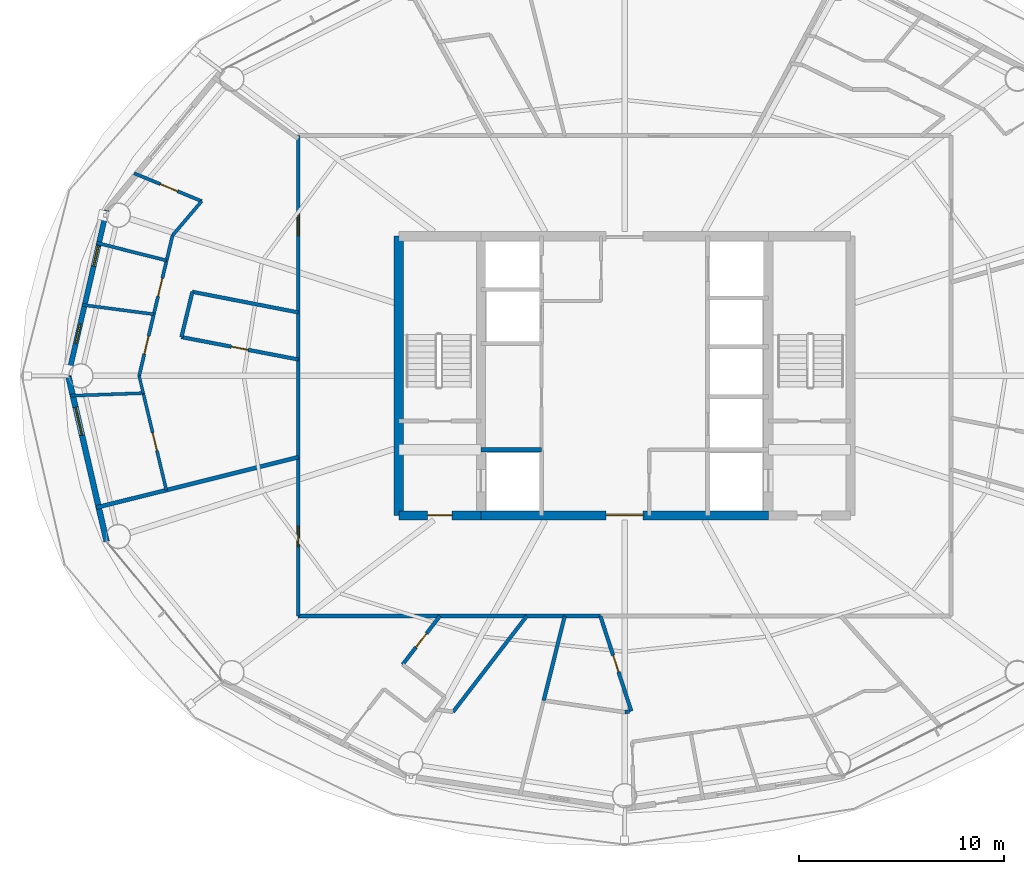
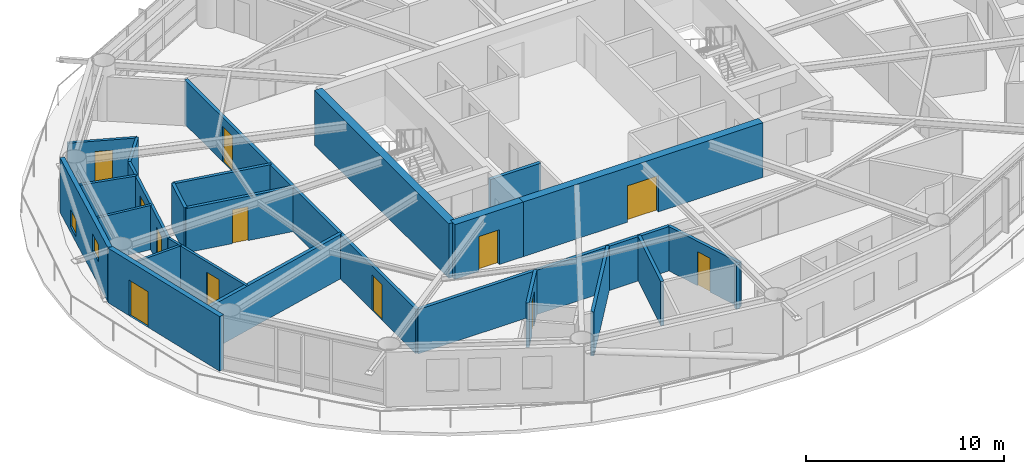
# One storey, part 20 of 27: 26 walls, 12 doors, 2 windows, 14 openings.
"""IFC4 building model written with IfcOpenShell, lengths in metres."""

from ifc_helpers import new_model, si_unit, direction, frame, frame_2d, origin, place, context, subcontext, project, spatial, rectangle, extrude, material, layer, layer_set, type_object, element, fill, save


model = new_model("IFC4")

# Units and contexts
model_context = context("Model", 3, precision=1e-05, world=origin(), true_north=direction((0.0, 1.0)))
body_context = subcontext(model_context, "Body", "Model", "MODEL_VIEW")
ifc_project = project(units=[si_unit("LENGTHUNIT", "METRE"), si_unit("AREAUNIT", "SQUARE_METRE"), si_unit("VOLUMEUNIT", "CUBIC_METRE"), si_unit("PLANEANGLEUNIT", "RADIAN"), si_unit("MASSUNIT", "GRAM", prefix="KILO")], contexts=[model_context])

# Site, building, storey
site_placement = place(None, origin())
site = spatial("IfcSite", under=ifc_project, at=site_placement, CompositionType="ELEMENT")
building_placement = place(site_placement, origin())
building = spatial("IfcBuilding", under=site, at=building_placement, Name="Sarneth Arch Tower", CompositionType="ELEMENT")
storey_placement = place(building_placement, frame((0.0, 0.0, 186.60009765625)))
storey = spatial("IfcBuildingStorey", under=building, at=storey_placement, Name="L47", CompositionType="ELEMENT", Elevation=186.60009765625)

# Wall, opening, door
ifc_material_1 = material(Name="Concrete C50/60", Category="concrete")
ifc_layer_1 = layer(ifc_material_1, 0.449951171875)
ifc_layer_set_1 = layer_set([ifc_layer_1], Name="Concrete C50/60")
wall_type_1 = type_object("IfcWallType", Name="WALL-CORE-450", PredefinedType="SHEAR", material=ifc_layer_set_1)
wall_1_placement = place(storey_placement, frame((37.0, 35.199951171875, 0.0), z_axis=(0.0, 0.0, 1.0), x_axis=(1.0, 0.0, 0.0)))
wall_1 = element("IfcWall", 1, at=wall_1_placement, inside=storey, type_object=wall_type_1, Name="L47 Core shear wall S-W", PredefinedType="SHEAR", context=body_context, shape_type="SweptSolid", body=[
    extrude(rectangle(XDim=4.0, YDim=0.449951171875, at=frame_2d((2.0, 0.0))), origin(), (0.0, 0.0, 1.0), 3.3798828125),
])
opening_1_placement = place(wall_1_placement, frame((1.39990234375, 0.0, 0.0)))
opening_1 = element("IfcOpeningElement", 2, at=opening_1_placement, cuts=wall_1, Name="Opening FD-02", PredefinedType="OPENING", context=body_context, shape_type="SweptSolid", body=[
    extrude(rectangle(XDim=1.199951171875, YDim=2.14990234375, at=frame_2d((0.60009765625, 1.074951171875))), frame((0.0, 0.23486328125, 0.0), z_axis=(0.0, -1.0, 0.0), x_axis=(1.0, 0.0, 0.0)), (0.0, 0.0, 1.0), 0.469970703125),
])
ifc_material_2 = material(Name="Galvanised Steel S275 fire door set", Category="steel")
door_type_1 = type_object("IfcDoorType", Name="DR-FD90-1200", OperationType="SINGLE_SWING_LEFT", PredefinedType="DOOR", material=ifc_material_2)
door_1_placement = place(opening_1_placement, origin())
door_1 = element("IfcDoor", 3, at=door_1_placement, inside=storey, type_object=door_type_1, Name="L47 Firefighting lobby 1 exit door", OperationType="SINGLE_SWING_LEFT", OverallHeight=2.14990234375, OverallWidth=1.199951171875, PredefinedType="DOOR", context=body_context, shape_type="SweptSolid", body=[
    extrude(rectangle(XDim=1.199951171875, YDim=2.14990234375, at=frame_2d((0.60009765625, 1.074951171875))), frame((0.0, 0.02490234375, 0.0), z_axis=(0.0, -1.0, 0.0), x_axis=(1.0, 0.0, 0.0)), (0.0, 0.0, 1.0), 0.050048828125),
])
fill(opening_1, door_1)

wall_2_placement = place(storey_placement, frame((41.0, 35.199951171875, 0.0), z_axis=(0.0, 0.0, 1.0), x_axis=(1.0, 0.0, 0.0)))
wall_2 = element("IfcWall", 4, at=wall_2_placement, inside=storey, type_object=wall_type_1, Name="L47 Core shear wall S-M", PredefinedType="SHEAR", context=body_context, shape_type="SweptSolid", body=[
    extrude(rectangle(XDim=14.0, YDim=0.449951171875, at=frame_2d((7.0, 0.0))), origin(), (0.0, 0.0, 1.0), 3.3798828125),
])
opening_2_placement = place(wall_2_placement, frame((6.10009765625, 0.0, 0.0)))
opening_2 = element("IfcOpeningElement", 5, at=opening_2_placement, cuts=wall_2, Name="Opening FD-01", PredefinedType="OPENING", context=body_context, shape_type="SweptSolid", body=[
    extrude(rectangle(XDim=1.800048828125, YDim=2.25, at=frame_2d((0.89990234375, 1.125))), frame((0.0, 0.23486328125, 0.0), z_axis=(0.0, -1.0, 0.0), x_axis=(1.0, 0.0, 0.0)), (0.0, 0.0, 1.0), 0.469970703125),
])
ifc_material_3 = material(Name="Galvanised Steel S275 fire door set", Category="steel")
door_type_2 = type_object("IfcDoorType", Name="DR-FD90-1800", OperationType="DOUBLE_DOOR_SINGLE_SWING", PredefinedType="DOOR", material=ifc_material_3)
door_2_placement = place(opening_2_placement, origin())
door_2 = element("IfcDoor", 6, at=door_2_placement, inside=storey, type_object=door_type_2, Name="L47 Central lift lobby south door", OperationType="DOUBLE_DOOR_SINGLE_SWING", OverallHeight=2.25, OverallWidth=1.800048828125, PredefinedType="DOOR", context=body_context, shape_type="SweptSolid", body=[
    extrude(rectangle(XDim=1.800048828125, YDim=2.25, at=frame_2d((0.89990234375, 1.125))), frame((0.0, 0.02490234375, 0.0), z_axis=(0.0, -1.0, 0.0), x_axis=(1.0, 0.0, 0.0)), (0.0, 0.0, 1.0), 0.050048828125),
])
fill(opening_2, door_2)

# Wall
wall_3_placement = place(storey_placement, frame((37.0, 35.199951171875, 0.0), z_axis=(0.0, 0.0, 1.0), x_axis=(0.0, 1.0, 0.0)))
element("IfcWall", 7, at=wall_3_placement, inside=storey, type_object=wall_type_1, Name="L47 Core shear wall W", PredefinedType="SHEAR", context=body_context, shape_type="SweptSolid", body=[
    extrude(rectangle(XDim=13.60009765625, YDim=0.449951171875, at=frame_2d((6.800048828125, 0.0))), origin(), (0.0, 0.0, 1.0), 3.3798828125),
])

# Wall, opening, door
ifc_material_4 = material(Name="Double steel-stud corridor fire wall", Category="steel")
ifc_layer_2 = layer(ifc_material_4, 0.18994140625)
ifc_layer_set_2 = layer_set([ifc_layer_2], Name="Double steel-stud corridor fire wall")
wall_type_2 = type_object("IfcWallType", Name="WALL-CORR-190", PredefinedType="PARTITIONING", material=ifc_layer_set_2)
wall_4_placement = place(storey_placement, frame((32.10009765625, 42.76513671875, 0.0), z_axis=(0.0, 0.0, 1.0), x_axis=(0.0, 1.0, 0.0)))
wall_4 = element("IfcWall", 8, at=wall_4_placement, inside=storey, type_object=wall_type_2, Name="L47 Interior partition W-L47-TP-010", PredefinedType="PARTITIONING", context=body_context, shape_type="SweptSolid", body=[
    extrude(rectangle(XDim=10.934814453125, YDim=0.18994140625, at=frame_2d((5.46728515625, 0.0))), origin(), (0.0, 0.0, 1.0), 2.739990234375),
])
opening_3_placement = place(wall_4_placement, frame((6.0595703125, 0.0, 0.0)))
opening_3 = element("IfcOpeningElement", 9, at=opening_3_placement, cuts=wall_4, Name="Opening FD-08", PredefinedType="OPENING", context=body_context, shape_type="SweptSolid", body=[
    extrude(rectangle(XDim=1.0, YDim=2.199951171875, at=frame_2d((0.5, 1.10009765625))), frame((0.0, 0.10498046875, 0.0), z_axis=(0.0, -1.0, 0.0), x_axis=(1.0, 0.0, 0.0)), (0.0, 0.0, 1.0), 0.2099609375),
])
ifc_material_5 = material(Name="Hardwood timber acoustic fire door", Category="wood")
door_type_3 = type_object("IfcDoorType", Name="DR-FD60-1000", OperationType="SINGLE_SWING_LEFT", PredefinedType="DOOR", material=ifc_material_5)
door_3_placement = place(opening_3_placement, origin())
door_3 = element("IfcDoor", 10, at=door_3_placement, inside=storey, type_object=door_type_3, Name="L47 Interior door DR-L47-U4-ENT", OperationType="SINGLE_SWING_LEFT", OverallHeight=2.199951171875, OverallWidth=1.0, PredefinedType="DOOR", context=body_context, shape_type="SweptSolid", body=[
    extrude(rectangle(XDim=1.0, YDim=2.199951171875, at=frame_2d((0.5, 1.10009765625))), frame((0.0, 0.02490234375, 0.0), z_axis=(0.0, -1.0, 0.0), x_axis=(1.0, 0.0, 0.0)), (0.0, 0.0, 1.0), 0.050048828125),
])
fill(opening_3, door_3)

wall_5_placement = place(storey_placement, frame((32.10009765625, 30.300048828125, 0.0), z_axis=(0.0, 0.0, 1.0), x_axis=(0.0, 1.0, 0.0)))
wall_5 = element("IfcWall", 11, at=wall_5_placement, inside=storey, type_object=wall_type_2, Name="L47 Interior partition W-L47-TP-013", PredefinedType="PARTITIONING", context=body_context, shape_type="SweptSolid", body=[
    extrude(rectangle(XDim=12.5302734375, YDim=0.18994140625, at=frame_2d((6.26513671875, 0.0))), origin(), (0.0, 0.0, 1.0), 2.739990234375),
])
opening_4_placement = place(wall_5_placement, frame((3.38427734375, 0.0, 0.0)))
opening_4 = element("IfcOpeningElement", 12, at=opening_4_placement, cuts=wall_5, Name="Opening FD-08", PredefinedType="OPENING", context=body_context, shape_type="SweptSolid", body=[
    extrude(rectangle(XDim=1.0, YDim=2.199951171875, at=frame_2d((0.5, 1.10009765625))), frame((0.0, 0.10498046875, 0.0), z_axis=(0.0, -1.0, 0.0), x_axis=(1.0, 0.0, 0.0)), (0.0, 0.0, 1.0), 0.2099609375),
])
door_4_placement = place(opening_4_placement, origin())
door_4 = element("IfcDoor", 13, at=door_4_placement, inside=storey, type_object=door_type_3, Name="L47 Interior door DR-L47-U5-ENT", OperationType="SINGLE_SWING_RIGHT", OverallHeight=2.199951171875, OverallWidth=1.0, PredefinedType="DOOR", context=body_context, shape_type="SweptSolid", body=[
    extrude(rectangle(XDim=1.0, YDim=2.199951171875, at=frame_2d((0.5, 1.10009765625))), frame((0.0, 0.02490234375, 0.0), z_axis=(0.0, -1.0, 0.0), x_axis=(1.0, 0.0, 0.0)), (0.0, 0.0, 1.0), 0.050048828125),
])
fill(opening_4, door_4)

# Wall
wall_6_placement = place(storey_placement, frame((46.817626953125, 30.300048828125, 0.0), z_axis=(0.0, 0.0, 1.0), x_axis=(-1.0, 0.0, 0.0)))
element("IfcWall", 14, at=wall_6_placement, inside=storey, type_object=wall_type_2, Name="L47 Interior partition W-L47-TP-012", PredefinedType="PARTITIONING", context=body_context, shape_type="SweptSolid", body=[
    extrude(rectangle(XDim=14.717529296875, YDim=0.18994140625, at=frame_2d((7.35888671875, 0.0))), origin(), (0.0, 0.0, 1.0), 2.739990234375),
])

# Wall, openings, windows
ifc_material_6 = material(Name="Extruded terracotta rainscreen on Concrete C40/50 backing", Category="masonry")
ifc_layer_3 = layer(ifc_material_6, 0.25)
ifc_layer_set_3 = layer_set([ifc_layer_3], Name="Extruded terracotta rainscreen on Concrete C40/50 backing")
wall_type_3 = type_object("IfcWallType", Name="WALL-EXT-SPAND-250", PredefinedType="SOLIDWALL", material=ifc_layer_set_3)
wall_7_placement = place(storey_placement, frame((22.767578125, 50.06689453125, 0.0), z_axis=(0.0, 0.0, 1.0), x_axis=(-0.225473184558, -0.974249374157, 0.0)))
wall_7 = element("IfcWall", 15, at=wall_7_placement, inside=storey, type_object=wall_type_3, Name="L47 Terracotta perimeter wall 08", PredefinedType="SOLIDWALL", context=body_context, shape_type="SweptSolid", body=[
    extrude(rectangle(XDim=8.280029296875, YDim=0.25, at=frame_2d((4.14013671875, 0.0))), origin(), (0.0, 0.0, 1.0), 3.3798828125),
])
opening_5_placement = place(wall_7_placement, frame((1.797607421875, 0.0, 0.35009765625)))
opening_5 = element("IfcOpeningElement", 16, at=opening_5_placement, cuts=wall_7, Name="Opening W-14", PredefinedType="OPENING", context=body_context, shape_type="SweptSolid", body=[
    extrude(rectangle(XDim=1.0, YDim=1.050048828125, at=frame_2d((0.5, 0.52490234375))), frame((0.0, 0.135009765625, 0.0), z_axis=(0.0, -1.0, 0.0), x_axis=(1.0, 0.0, 0.0)), (0.0, 0.0, 1.0), 0.27001953125),
])
opening_6_placement = place(wall_7_placement, frame((5.6787109375, 0.0, 1.419921875)))
opening_6 = element("IfcOpeningElement", 17, at=opening_6_placement, cuts=wall_7, Name="Opening W-14", PredefinedType="OPENING", context=body_context, shape_type="SweptSolid", body=[
    extrude(rectangle(XDim=1.0, YDim=1.050048828125, at=frame_2d((0.5, 0.52490234375))), frame((0.0, 0.135009765625, 0.0), z_axis=(0.0, -1.0, 0.0), x_axis=(1.0, 0.0, 0.0)), (0.0, 0.0, 1.0), 0.27001953125),
])
ifc_material_7 = material(Name="Thermally broken Aluminium 6063-T6 and low-e laminated IGU", Category="aluminium")
window_type = type_object("IfcWindowType", Name="WIN-TWR-1000x1050", PartitioningType="SINGLE_PANEL", PredefinedType="WINDOW", material=ifc_material_7)
window_1_placement = place(opening_5_placement, origin())
window_1 = element("IfcWindow", 18, at=window_1_placement, inside=storey, type_object=window_type, Name="L47 Dwelling bedroom window 01", OverallHeight=1.050048828125, OverallWidth=1.0, PartitioningType="SINGLE_PANEL", PredefinedType="WINDOW", context=body_context, shape_type="SweptSolid", body=[
    extrude(rectangle(XDim=1.0, YDim=1.050048828125, at=frame_2d((0.5, 0.52490234375))), frame((0.0, 0.030029296875, 0.0), z_axis=(0.0, -1.0, 0.0), x_axis=(1.0, 0.0, 0.0)), (0.0, 0.0, 1.0), 0.06005859375),
])
fill(opening_5, window_1)
window_2_placement = place(opening_6_placement, origin())
window_2 = element("IfcWindow", 19, at=window_2_placement, inside=storey, type_object=window_type, Name="L47 Dwelling bedroom window 02", OverallHeight=1.050048828125, OverallWidth=1.0, PartitioningType="SINGLE_PANEL", PredefinedType="WINDOW", context=body_context, shape_type="SweptSolid", body=[
    extrude(rectangle(XDim=1.0, YDim=1.050048828125, at=frame_2d((0.5, 0.52490234375))), frame((0.0, 0.030029296875, 0.0), z_axis=(0.0, -1.0, 0.0), x_axis=(1.0, 0.0, 0.0)), (0.0, 0.0, 1.0), 0.06005859375),
])
fill(opening_6, window_2)

# Wall, opening, door
ifc_material_8 = material(Name="Extruded terracotta rainscreen on Concrete C40/50 backing", Category="masonry")
ifc_layer_4 = layer(ifc_material_8, 0.280029296875)
ifc_layer_set_4 = layer_set([ifc_layer_4], Name="Extruded terracotta rainscreen on Concrete C40/50 backing")
wall_type_4 = type_object("IfcWallType", Name="WALL-EXT-TERRA-280", PredefinedType="SOLIDWALL", material=ifc_layer_set_4)
wall_8_placement = place(storey_placement, frame((20.900634765625, 42.0, 0.0), z_axis=(0.0, 0.0, 1.0), x_axis=(0.225473184558, -0.974249374157, 0.0)))
wall_8 = element("IfcWall", 20, at=wall_8_placement, inside=storey, type_object=wall_type_4, Name="L47 Terracotta perimeter wall 09", PredefinedType="SOLIDWALL", context=body_context, shape_type="SweptSolid", body=[
    extrude(rectangle(XDim=8.280029296875, YDim=0.280029296875, at=frame_2d((4.14013671875, 0.0))), origin(), (0.0, 0.0, 1.0), 3.3798828125),
])
opening_7_placement = place(wall_8_placement, frame((1.568115234375, 0.0, 0.0)))
opening_7 = element("IfcOpeningElement", 21, at=opening_7_placement, cuts=wall_8, Name="Opening BD-2", PredefinedType="OPENING", context=body_context, shape_type="SweptSolid", body=[
    extrude(rectangle(XDim=1.39990234375, YDim=2.199951171875, at=frame_2d((0.699951171875, 1.10009765625))), frame((0.0, 0.14990234375, 0.0), z_axis=(0.0, -1.0, 0.0), x_axis=(1.0, 0.0, 0.0)), (0.0, 0.0, 1.0), 0.300048828125),
])
ifc_material_9 = material(Name="Thermally broken Aluminium 6063-T6 and laminated safety glass", Category="aluminium")
door_type_4 = type_object("IfcDoorType", Name="DR-BALC-GLZ-1400", OperationType="SINGLE_SWING_LEFT", PredefinedType="DOOR", material=ifc_material_9)
door_5_placement = place(opening_7_placement, origin())
door_5 = element("IfcDoor", 22, at=door_5_placement, inside=storey, type_object=door_type_4, Name="L47 Balcony glazed door 09", OperationType="SINGLE_SWING_LEFT", OverallHeight=2.199951171875, OverallWidth=1.39990234375, PredefinedType="DOOR", context=body_context, shape_type="SweptSolid", body=[
    extrude(rectangle(XDim=1.39990234375, YDim=2.199951171875, at=frame_2d((0.699951171875, 1.10009765625))), frame((0.0, 0.02490234375, 0.0), z_axis=(0.0, -1.0, 0.0), x_axis=(1.0, 0.0, 0.0)), (0.0, 0.0, 1.0), 0.050048828125),
])
fill(opening_7, door_5)

# Wall
ifc_material_10 = material(Name="Apartment internal stud partition", Category="gypsum")
ifc_layer_5 = layer(ifc_material_10, 0.139892578125)
ifc_layer_set_5 = layer_set([ifc_layer_5], Name="Apartment internal stud partition")
wall_type_5 = type_object("IfcWallType", Name="WALL-PART-140", PredefinedType="PARTITIONING", material=ifc_layer_set_5)
wall_9_placement = place(storey_placement, frame((24.351318359375, 42.0, 0.0), z_axis=(0.0, 0.0, 1.0), x_axis=(0.231569683902, -0.972818318854, 0.0)))
element("IfcWall", 23, at=wall_9_placement, inside=storey, type_object=wall_type_5, Name="L47 Interior partition W-L47-TP-055", PredefinedType="PARTITIONING", context=body_context, shape_type="SweptSolid", body=[
    extrude(rectangle(XDim=0.865478515625, YDim=0.139892578125, at=frame_2d((0.4326171875, 0.0))), origin(), (0.0, 0.0, 1.0), 2.739990234375),
])

# Wall, opening, door
ifc_material_11 = material(Name="Acoustic gypsum stud partition", Category="gypsum")
ifc_layer_6 = layer(ifc_material_11, 0.14990234375)
ifc_layer_set_6 = layer_set([ifc_layer_6], Name="Acoustic gypsum stud partition")
wall_type_6 = type_object("IfcWallType", Name="WALL-PART-150", PredefinedType="PARTITIONING", material=ifc_layer_set_6)
wall_10_placement = place(storey_placement, frame((24.5517578125, 41.157958984375, 0.0), z_axis=(0.0, 0.0, 1.0), x_axis=(0.231625058686, -0.972805135774, 0.0)))
wall_10 = element("IfcWall", 24, at=wall_10_placement, inside=storey, type_object=wall_type_6, Name="L47 Interior partition W-L47-TP-056", PredefinedType="PARTITIONING", context=body_context, shape_type="SweptSolid", body=[
    extrude(rectangle(XDim=4.85595703125, YDim=0.14990234375, at=frame_2d((2.427978515625, 0.0))), origin(), (0.0, 0.0, 1.0), 2.739990234375),
])
opening_8_placement = place(wall_10_placement, frame((1.977783203125, 0.0, 0.0)))
opening_8 = element("IfcOpeningElement", 25, at=opening_8_placement, cuts=wall_10, Name="Opening ID-01", PredefinedType="OPENING", context=body_context, shape_type="SweptSolid", body=[
    extrude(rectangle(XDim=0.89990234375, YDim=2.10009765625, at=frame_2d((0.449951171875, 1.050048828125))), frame((0.0, 0.0849609375, 0.0), z_axis=(0.0, -1.0, 0.0), x_axis=(1.0, 0.0, 0.0)), (0.0, 0.0, 1.0), 0.169921875),
])
ifc_material_12 = material(Name="Engineered hardwood flush door", Category="wood")
door_type_5 = type_object("IfcDoorType", Name="DR-INT-900", OperationType="SINGLE_SWING_LEFT", PredefinedType="DOOR", material=ifc_material_12)
door_6_placement = place(opening_8_placement, origin())
door_6 = element("IfcDoor", 26, at=door_6_placement, inside=storey, type_object=door_type_5, Name="L47 Interior door DR-L47-U4-BED3", OperationType="SINGLE_SWING_RIGHT", OverallHeight=2.10009765625, OverallWidth=0.89990234375, PredefinedType="DOOR", context=body_context, shape_type="SweptSolid", body=[
    extrude(rectangle(XDim=0.89990234375, YDim=2.10009765625, at=frame_2d((0.449951171875, 1.050048828125))), frame((0.0, 0.02490234375, 0.0), z_axis=(0.0, -1.0, 0.0), x_axis=(1.0, 0.0, 0.0)), (0.0, 0.0, 1.0), 0.050048828125),
])
fill(opening_8, door_6)

# Walls
wall_11_placement = place(storey_placement, frame((24.5517578125, 41.157958984375, 0.0), z_axis=(0.0, 0.0, 1.0), x_axis=(-0.999355385726, -0.035900042072, 0.0)))
element("IfcWall", 27, at=wall_11_placement, inside=storey, type_object=wall_type_6, Name="L47 Interior partition W-L47-TP-060", PredefinedType="PARTITIONING", context=body_context, shape_type="SweptSolid", body=[
    extrude(rectangle(XDim=3.5498046875, YDim=0.14990234375, at=frame_2d((1.77490234375, 0.0))), origin(), (0.0, 0.0, 1.0), 2.739990234375),
])
wall_12_placement = place(storey_placement, frame((21.57861328125, 45.45849609375, 0.0), z_axis=(0.0, 0.0, 1.0), x_axis=(0.991540311483, -0.129799116729, 0.0)))
element("IfcWall", 28, at=wall_12_placement, inside=storey, type_object=wall_type_6, Name="L47 Interior partition W-L47-TP-059", PredefinedType="PARTITIONING", context=body_context, shape_type="SweptSolid", body=[
    extrude(rectangle(XDim=3.517333984375, YDim=0.14990234375, at=frame_2d((1.7587890625, 0.0))), origin(), (0.0, 0.0, 1.0), 2.739990234375),
])

# Wall, opening, door
ifc_material_13 = material(Name="Kitchen wet service chase wall", Category="gypsum")
ifc_layer_7 = layer(ifc_material_13, 0.159912109375)
ifc_layer_set_7 = layer_set([ifc_layer_7], Name="Kitchen wet service chase wall")
wall_type_7 = type_object("IfcWallType", Name="WALL-PLUMB-160", PredefinedType="PLUMBINGWALL", material=ifc_layer_set_7)
wall_13_placement = place(storey_placement, frame((24.10693359375, 51.8662109375, 0.0), z_axis=(0.0, 0.0, 1.0), x_axis=(0.924309814848, -0.381642982611, 0.0)))
wall_13 = element("IfcWall", 29, at=wall_13_placement, inside=storey, type_object=wall_type_7, Name="L47 Interior partition W-L47-TP-047", PredefinedType="PLUMBINGWALL", context=body_context, shape_type="SweptSolid", body=[
    extrude(rectangle(XDim=3.56005859375, YDim=0.159912109375, at=frame_2d((1.780029296875, 0.0))), origin(), (0.0, 0.0, 1.0), 2.739990234375),
])
opening_9_placement = place(wall_13_placement, frame((1.389892578125, 0.0, 0.0)))
opening_9 = element("IfcOpeningElement", 30, at=opening_9_placement, cuts=wall_13, Name="Opening ID-01", PredefinedType="OPENING", context=body_context, shape_type="SweptSolid", body=[
    extrude(rectangle(XDim=0.89990234375, YDim=2.10009765625, at=frame_2d((0.449951171875, 1.050048828125))), frame((0.0, 0.08984375, 0.0), z_axis=(0.0, -1.0, 0.0), x_axis=(1.0, 0.0, 0.0)), (0.0, 0.0, 1.0), 0.179931640625),
])
door_7_placement = place(opening_9_placement, origin())
door_7 = element("IfcDoor", 31, at=door_7_placement, inside=storey, type_object=door_type_5, Name="L47 Interior door DR-L47-U4-KIT", OperationType="SINGLE_SWING_LEFT", OverallHeight=2.10009765625, OverallWidth=0.89990234375, PredefinedType="DOOR", context=body_context, shape_type="SweptSolid", body=[
    extrude(rectangle(XDim=0.89990234375, YDim=2.10009765625, at=frame_2d((0.449951171875, 1.050048828125))), frame((0.0, 0.02490234375, 0.0), z_axis=(0.0, -1.0, 0.0), x_axis=(1.0, 0.0, 0.0)), (0.0, 0.0, 1.0), 0.050048828125),
])
fill(opening_9, door_7)

# Wall
wall_14_placement = place(storey_placement, frame((22.277099609375, 48.47900390625, 0.0), z_axis=(0.0, 0.0, 1.0), x_axis=(0.969720683394, -0.244216699259, 0.0)))
element("IfcWall", 32, at=wall_14_placement, inside=storey, type_object=wall_type_7, Name="L47 Interior partition W-L47-TP-058", PredefinedType="PLUMBINGWALL", context=body_context, shape_type="SweptSolid", body=[
    extrude(rectangle(XDim=3.518798828125, YDim=0.159912109375, at=frame_2d((1.75927734375, 0.0))), origin(), (0.0, 0.0, 1.0), 2.739990234375),
])

# Wall, openings, doors
wall_15_placement = place(storey_placement, frame((25.980712890625, 48.84228515625, 0.0), z_axis=(0.0, 0.0, 1.0), x_axis=(-0.231658068135, -0.972797275627, 0.0)))
wall_15 = element("IfcWall", 33, at=wall_15_placement, inside=storey, type_object=wall_type_7, Name="L47 Interior partition W-L47-TP-054", PredefinedType="PLUMBINGWALL", context=body_context, shape_type="SweptSolid", body=[
    extrude(rectangle(XDim=7.03369140625, YDim=0.159912109375, at=frame_2d((3.516845703125, 0.0))), origin(), (0.0, 0.0, 1.0), 2.739990234375),
])
opening_10_placement = place(wall_15_placement, frame((5.040771484375, 0.0, 0.0)))
opening_10 = element("IfcOpeningElement", 34, at=opening_10_placement, cuts=wall_15, Name="Opening ID-01", PredefinedType="OPENING", context=body_context, shape_type="SweptSolid", body=[
    extrude(rectangle(XDim=0.89990234375, YDim=2.10009765625, at=frame_2d((0.449951171875, 1.050048828125))), frame((0.0, 0.08984375, 0.0), z_axis=(0.0, -1.0, 0.0), x_axis=(1.0, 0.0, 0.0)), (0.0, 0.0, 1.0), 0.179931640625),
])
opening_11_placement = place(wall_15_placement, frame((2.152587890625, 0.0, 0.0)))
opening_11 = element("IfcOpeningElement", 35, at=opening_11_placement, cuts=wall_15, Name="Opening ID-01", PredefinedType="OPENING", context=body_context, shape_type="SweptSolid", body=[
    extrude(rectangle(XDim=0.89990234375, YDim=2.10009765625, at=frame_2d((0.449951171875, 1.050048828125))), frame((0.0, 0.08984375, 0.0), z_axis=(0.0, -1.0, 0.0), x_axis=(1.0, 0.0, 0.0)), (0.0, 0.0, 1.0), 0.179931640625),
])
door_8_placement = place(opening_10_placement, origin())
door_8 = element("IfcDoor", 36, at=door_8_placement, inside=storey, type_object=door_type_5, Name="L47 Interior door DR-L47-U4-BED2", OperationType="SINGLE_SWING_RIGHT", OverallHeight=2.10009765625, OverallWidth=0.89990234375, PredefinedType="DOOR", context=body_context, shape_type="SweptSolid", body=[
    extrude(rectangle(XDim=0.89990234375, YDim=2.10009765625, at=frame_2d((0.449951171875, 1.050048828125))), frame((0.0, 0.02490234375, 0.0), z_axis=(0.0, -1.0, 0.0), x_axis=(1.0, 0.0, 0.0)), (0.0, 0.0, 1.0), 0.050048828125),
])
fill(opening_10, door_8)
door_9_placement = place(opening_11_placement, origin())
door_9 = element("IfcDoor", 37, at=door_9_placement, inside=storey, type_object=door_type_5, Name="L47 Interior door DR-L47-U4-BED1", OperationType="SINGLE_SWING_LEFT", OverallHeight=2.10009765625, OverallWidth=0.89990234375, PredefinedType="DOOR", context=body_context, shape_type="SweptSolid", body=[
    extrude(rectangle(XDim=0.89990234375, YDim=2.10009765625, at=frame_2d((0.449951171875, 1.050048828125))), frame((0.0, 0.02490234375, 0.0), z_axis=(0.0, -1.0, 0.0), x_axis=(1.0, 0.0, 0.0)), (0.0, 0.0, 1.0), 0.050048828125),
])
fill(opening_11, door_9)

# Walls
wall_16_placement = place(storey_placement, frame((27.3974609375, 50.507568359375, 0.0), z_axis=(0.0, 0.0, 1.0), x_axis=(-0.647982213408, -0.761655467457, 0.0)))
element("IfcWall", 38, at=wall_16_placement, inside=storey, type_object=wall_type_7, Name="L47 Interior partition W-L47-TP-048", PredefinedType="PLUMBINGWALL", context=body_context, shape_type="SweptSolid", body=[
    extrude(rectangle(XDim=2.186279296875, YDim=0.159912109375, at=frame_2d((1.09326171875, 0.0))), origin(), (0.0, 0.0, 1.0), 2.739990234375),
])
ifc_material_14 = material(Name="Moisture-resistant plumbing chase wall", Category="gypsum")
ifc_layer_8 = layer(ifc_material_14, 0.179931640625)
ifc_layer_set_8 = layer_set([ifc_layer_8], Name="Moisture-resistant plumbing chase wall")
wall_type_8 = type_object("IfcWallType", Name="WALL-PLUMB-180", PredefinedType="PLUMBINGWALL", material=ifc_layer_set_8)
wall_17_placement = place(storey_placement, frame((39.646484375, 25.6337890625, 0.0), z_axis=(0.0, 0.0, 1.0), x_axis=(0.609572446913, 0.792730365234, 0.0)))
element("IfcWall", 39, at=wall_17_placement, inside=storey, type_object=wall_type_8, Name="L47 Interior partition W-L47-TP-069", PredefinedType="PLUMBINGWALL", context=body_context, shape_type="SweptSolid", body=[
    extrude(rectangle(XDim=5.88623046875, YDim=0.179931640625, at=frame_2d((2.943115234375, 0.0))), origin(), (0.0, 0.0, 1.0), 2.739990234375),
])

# Wall, opening, door
wall_18_placement = place(storey_placement, frame((32.10009765625, 42.7978515625, 0.0), z_axis=(0.0, 0.0, 1.0), x_axis=(-0.982107940525, 0.188318860333, 0.0)))
wall_18 = element("IfcWall", 40, at=wall_18_placement, inside=storey, type_object=wall_type_8, Name="L47 Interior partition W-L47-TP-050", PredefinedType="PLUMBINGWALL", context=body_context, shape_type="SweptSolid", body=[
    extrude(rectangle(XDim=5.791015625, YDim=0.179931640625, at=frame_2d((2.8955078125, 0.0))), origin(), (0.0, 0.0, 1.0), 2.739990234375),
])
opening_12_placement = place(wall_18_placement, frame((2.470458984375, 0.0, 0.0)))
opening_12 = element("IfcOpeningElement", 41, at=opening_12_placement, cuts=wall_18, Name="Opening ID-02", PredefinedType="OPENING", context=body_context, shape_type="SweptSolid", body=[
    extrude(rectangle(XDim=0.85009765625, YDim=2.10009765625, at=frame_2d((0.425048828125, 1.050048828125))), frame((0.0, 0.099853515625, 0.0), z_axis=(0.0, -1.0, 0.0), x_axis=(1.0, 0.0, 0.0)), (0.0, 0.0, 1.0), 0.199951171875),
])
ifc_material_15 = material(Name="Moisture-resistant bathroom timber door", Category="wood")
door_type_6 = type_object("IfcDoorType", Name="DR-INT-850", OperationType="SINGLE_SWING_RIGHT", PredefinedType="DOOR", material=ifc_material_15)
door_10_placement = place(opening_12_placement, origin())
door_10 = element("IfcDoor", 42, at=door_10_placement, inside=storey, type_object=door_type_6, Name="L47 Interior door DR-L47-U4-BATH", OperationType="SINGLE_SWING_RIGHT", OverallHeight=2.10009765625, OverallWidth=0.85009765625, PredefinedType="DOOR", context=body_context, shape_type="SweptSolid", body=[
    extrude(rectangle(XDim=0.85009765625, YDim=2.10009765625, at=frame_2d((0.425048828125, 1.050048828125))), frame((0.0, 0.02490234375, 0.0), z_axis=(0.0, -1.0, 0.0), x_axis=(1.0, 0.0, 0.0)), (0.0, 0.0, 1.0), 0.050048828125),
])
fill(opening_12, door_10)

# Wall
wall_19_placement = place(storey_placement, frame((26.946533203125, 46.09228515625, 0.0), z_axis=(0.0, 0.0, 1.0), x_axis=(0.981628698507, -0.190801200908, 0.0)))
element("IfcWall", 43, at=wall_19_placement, inside=storey, type_object=wall_type_8, Name="L47 Interior partition W-L47-TP-052", PredefinedType="PLUMBINGWALL", context=body_context, shape_type="SweptSolid", body=[
    extrude(rectangle(XDim=5.25, YDim=0.179931640625, at=frame_2d((2.625, 0.0))), origin(), (0.0, 0.0, 1.0), 2.739990234375),
])

# Wall, opening, door
wall_20_placement = place(storey_placement, frame((46.817626953125, 30.300048828125, 0.0), z_axis=(0.0, 0.0, 1.0), x_axis=(0.309560761104, -0.950879663882, 0.0)))
wall_20 = element("IfcWall", 44, at=wall_20_placement, inside=storey, type_object=wall_type_8, Name="L47 Interior partition W-L47-TP-074", PredefinedType="PLUMBINGWALL", context=body_context, shape_type="SweptSolid", body=[
    extrude(rectangle(XDim=4.872314453125, YDim=0.179931640625, at=frame_2d((2.43603515625, 0.0))), origin(), (0.0, 0.0, 1.0), 2.739990234375),
])
opening_13_placement = place(wall_20_placement, frame((2.01123046875, 0.0, 0.0)))
opening_13 = element("IfcOpeningElement", 45, at=opening_13_placement, cuts=wall_20, Name="Opening ID-02", PredefinedType="OPENING", context=body_context, shape_type="SweptSolid", body=[
    extrude(rectangle(XDim=0.85009765625, YDim=2.10009765625, at=frame_2d((0.425048828125, 1.050048828125))), frame((0.0, 0.099853515625, 0.0), z_axis=(0.0, -1.0, 0.0), x_axis=(1.0, 0.0, 0.0)), (0.0, 0.0, 1.0), 0.199951171875),
])
door_11_placement = place(opening_13_placement, origin())
door_11 = element("IfcDoor", 46, at=door_11_placement, inside=storey, type_object=door_type_6, Name="L47 Interior door DR-L47-U6-BATH", OperationType="SINGLE_SWING_RIGHT", OverallHeight=2.10009765625, OverallWidth=0.85009765625, PredefinedType="DOOR", context=body_context, shape_type="SweptSolid", body=[
    extrude(rectangle(XDim=0.85009765625, YDim=2.10009765625, at=frame_2d((0.425048828125, 1.050048828125))), frame((0.0, 0.02490234375, 0.0), z_axis=(0.0, -1.0, 0.0), x_axis=(1.0, 0.0, 0.0)), (0.0, 0.0, 1.0), 0.050048828125),
])
fill(opening_13, door_11)

# Wall
wall_21_placement = place(storey_placement, frame((44.057373046875, 26.186767578125, 0.0), z_axis=(0.0, 0.0, 1.0), x_axis=(0.241939344098, 0.97029137571, 0.0)))
element("IfcWall", 47, at=wall_21_placement, inside=storey, type_object=wall_type_8, Name="L47 Interior partition W-L47-TP-071", PredefinedType="PLUMBINGWALL", context=body_context, shape_type="SweptSolid", body=[
    extrude(rectangle(XDim=4.2392578125, YDim=0.179931640625, at=frame_2d((2.11962890625, 0.0))), origin(), (0.0, 0.0, 1.0), 2.739990234375),
])

# Wall, opening, door
wall_22_placement = place(storey_placement, frame((37.186279296875, 27.93798828125, 0.0), z_axis=(0.0, 0.0, 1.0), x_axis=(0.609591964346, 0.792715356862, 0.0)))
wall_22 = element("IfcWall", 48, at=wall_22_placement, inside=storey, type_object=wall_type_8, Name="L47 Interior partition W-L47-TP-064", PredefinedType="PLUMBINGWALL", context=body_context, shape_type="SweptSolid", body=[
    extrude(rectangle(XDim=2.979736328125, YDim=0.179931640625, at=frame_2d((1.48974609375, 0.0))), origin(), (0.0, 0.0, 1.0), 2.739990234375),
])
opening_14_placement = place(wall_22_placement, frame((1.06494140625, 0.0, 0.0)))
opening_14 = element("IfcOpeningElement", 49, at=opening_14_placement, cuts=wall_22, Name="Opening ID-02", PredefinedType="OPENING", context=body_context, shape_type="SweptSolid", body=[
    extrude(rectangle(XDim=0.85009765625, YDim=2.10009765625, at=frame_2d((0.425048828125, 1.050048828125))), frame((0.0, 0.099853515625, 0.0), z_axis=(0.0, -1.0, 0.0), x_axis=(1.0, 0.0, 0.0)), (0.0, 0.0, 1.0), 0.199951171875),
])
door_12_placement = place(opening_14_placement, origin())
door_12 = element("IfcDoor", 50, at=door_12_placement, inside=storey, type_object=door_type_6, Name="L47 Interior door DR-L47-U5-BATH", OperationType="SINGLE_SWING_RIGHT", OverallHeight=2.10009765625, OverallWidth=0.85009765625, PredefinedType="DOOR", context=body_context, shape_type="SweptSolid", body=[
    extrude(rectangle(XDim=0.85009765625, YDim=2.10009765625, at=frame_2d((0.425048828125, 1.050048828125))), frame((0.0, 0.02490234375, 0.0), z_axis=(0.0, -1.0, 0.0), x_axis=(1.0, 0.0, 0.0)), (0.0, 0.0, 1.0), 0.050048828125),
])
fill(opening_14, door_12)

# Walls
wall_23_placement = place(storey_placement, frame((26.41259765625, 43.888427734375, 0.0), z_axis=(0.0, 0.0, 1.0), x_axis=(0.235461357856, 0.971883711643, 0.0)))
element("IfcWall", 51, at=wall_23_placement, inside=storey, type_object=wall_type_8, Name="L47 Interior partition W-L47-TP-051", PredefinedType="PLUMBINGWALL", context=body_context, shape_type="SweptSolid", body=[
    extrude(rectangle(XDim=2.267578125, YDim=0.179931640625, at=frame_2d((1.1337890625, 0.0))), origin(), (0.0, 0.0, 1.0), 2.739990234375),
])
wall_24_placement = place(storey_placement, frame((48.23486328125, 25.65380859375, 0.0), z_axis=(0.0, 0.0, 1.0), x_axis=(-0.989709601841, -0.143090544844, 0.0)))
element("IfcWall", 52, at=wall_24_placement, inside=storey, type_object=wall_type_8, Name="L47 Interior partition W-L47-TP-075", PredefinedType="PLUMBINGWALL", context=body_context, shape_type="SweptSolid", body=[
    extrude(rectangle(XDim=0.22509765625, YDim=0.179931640625, at=frame_2d((0.112548828125, 0.0))), origin(), (0.0, 0.0, 1.0), 2.739990234375),
])
ifc_material_16 = material(Name="Aerated concrete blockwork C25/30", Category="masonry")
ifc_layer_9 = layer(ifc_material_16, 0.199951171875)
ifc_layer_set_9 = layer_set([ifc_layer_9], Name="Aerated concrete blockwork C25/30")
wall_type_9 = type_object("IfcWallType", Name="WALL-SHAFT-200", PredefinedType="SOLIDWALL", material=ifc_layer_set_9)
wall_25_placement = place(storey_placement, frame((41.0, 38.39990234375, 0.0), z_axis=(0.0, 0.0, 1.0), x_axis=(1.0, 0.0, 0.0)))
element("IfcWall", 53, at=wall_25_placement, inside=storey, type_object=wall_type_9, Name="L47 Interior partition W-L47-FL1-N", PredefinedType="SOLIDWALL", context=body_context, shape_type="SweptSolid", body=[
    extrude(rectangle(XDim=2.949951171875, YDim=0.199951171875, at=frame_2d((1.47509765625, 0.0))), origin(), (0.0, 0.0, 1.0), 2.739990234375),
])
ifc_material_17 = material(Name="Double steel-stud acoustic drywall", Category="steel")
ifc_layer_10 = layer(ifc_material_17, 0.199951171875)
ifc_layer_set_10 = layer_set([ifc_layer_10], Name="Double steel-stud acoustic drywall")
wall_type_10 = type_object("IfcWallType", Name="WALL-UNIT-200", PredefinedType="PARTITIONING", material=ifc_layer_set_10)
wall_26_placement = place(storey_placement, frame((22.2626953125, 35.5830078125, 0.0), z_axis=(0.0, 0.0, 1.0), x_axis=(0.970298114693, 0.241912315983, 0.0)))
element("IfcWall", 54, at=wall_26_placement, inside=storey, type_object=wall_type_10, Name="L47 Interior partition W-L47-TP-057", PredefinedType="PARTITIONING", context=body_context, shape_type="SweptSolid", body=[
    extrude(rectangle(XDim=10.138427734375, YDim=0.199951171875, at=frame_2d((5.0693359375, 0.0))), origin(), (0.0, 0.0, 1.0), 2.739990234375),
])

save(model, "model.ifc")
